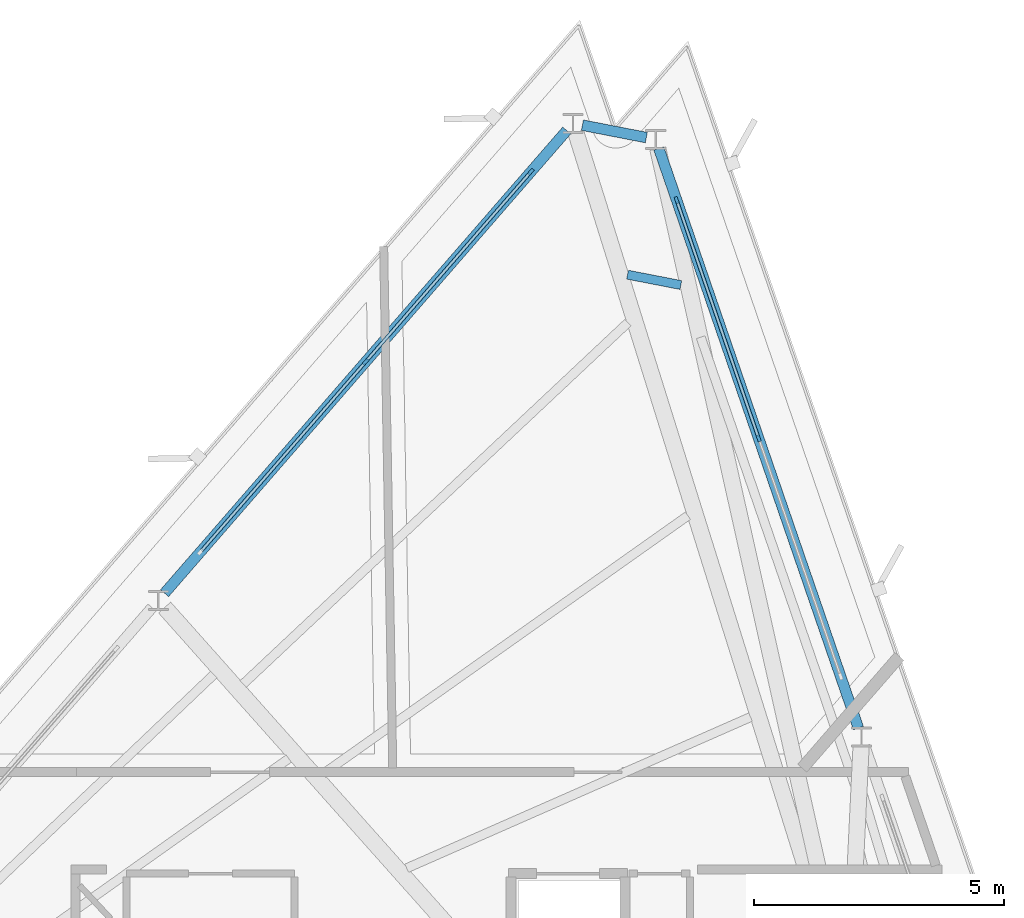
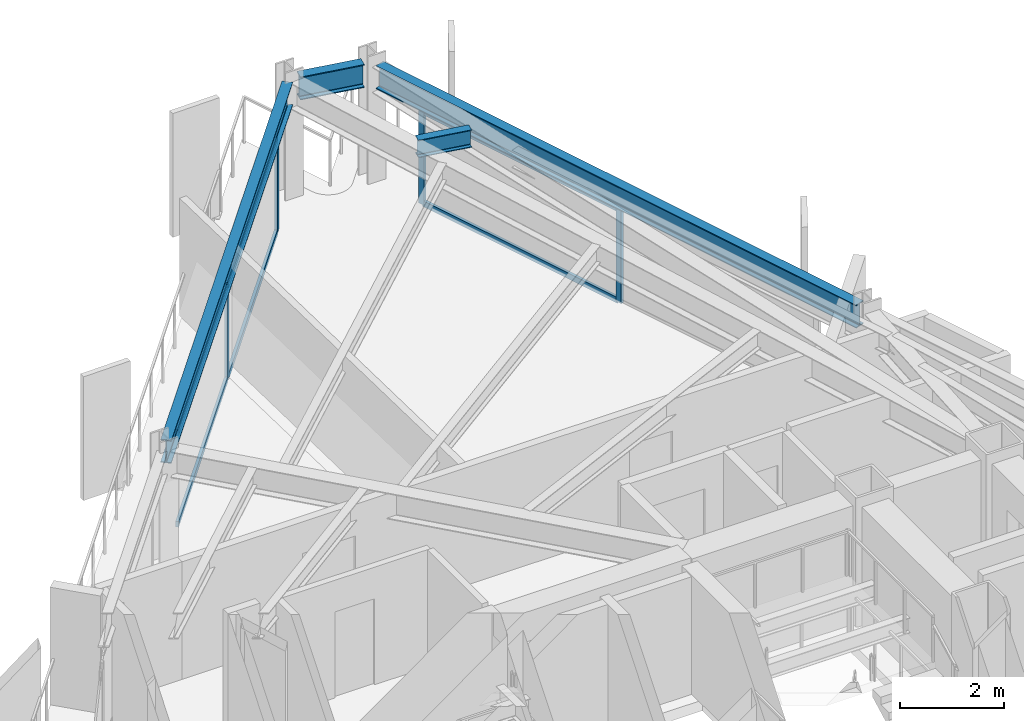
# One storey, part 7 of 13: 10 members, 4 beams, 2 elements without a shape of their own.
"""IFC4 building model written with IfcOpenShell, lengths in metres."""

import ifcopenshell
import ifcopenshell.guid

model = None  # the IFC model being written
_history = None  # IfcOwnerHistory: only IFC2X3 demands one
_inside = {}  # id of a spatial element -> (the spatial element, [elements in it])
_under = {}  # id of a project, library or spatial element -> (it, [spatial elements below it])
_declared = {}  # id of a project -> (the project, [libraries it declares])
_typed = {}  # id of a type object -> (the type object, [elements of that type])
_made_of = {}  # id of a material, layer set ... -> (it, [elements and type objects made of it])


def new_model(schema):
    """Start an empty IFC model of exactly this schema.

    Asked for "IFC4X3", IfcOpenShell would pick the latest addendum, in which some entities
    have other attributes; the version numbers below select the first issue.
    IFC2X3 requires an IfcOwnerHistory on every rooted entity: one is made here for all.
    """
    global model, _history
    if schema == "IFC4X3":
        model = ifcopenshell.file(schema_version=(4, 3, 0, 0))
    else:
        model = ifcopenshell.file(schema=schema)
    _inside.clear()
    _under.clear()
    _declared.clear()
    _typed.clear()
    _made_of.clear()
    _history = None
    if model.schema == "IFC2X3":
        org = make("IfcOrganization", Name="unknown")
        user = make(
            "IfcPersonAndOrganization",
            ThePerson=make("IfcPerson", FamilyName="unknown"),
            TheOrganization=org,
        )
        app = make(
            "IfcApplication",
            ApplicationDeveloper=org,
            Version="unknown",
            ApplicationFullName="unknown",
            ApplicationIdentifier="unknown",
        )
        _history = make(
            "IfcOwnerHistory",
            OwningUser=user,
            OwningApplication=app,
            ChangeAction="ADDED",
            CreationDate=0,
        )
    return model


def make(cls, **values):
    """One entity of the class cls with the attributes given. An attribute that is None is left unset."""
    return model.create_entity(
        cls, **{name: value for name, value in values.items() if value is not None}
    )


def rooted(cls, **values):
    """An entity with a GlobalId (a new one), such as an element, a storey or a relation."""
    return make(cls, GlobalId=ifcopenshell.guid.new(), OwnerHistory=_history, **values)


def si_unit(unit_type, name, prefix=None):
    """IfcSIUnit, for example si_unit("LENGTHUNIT", "METRE", prefix="MILLI")."""
    return make("IfcSIUnit", UnitType=unit_type, Prefix=prefix, Name=name)


def assignment(units):
    """IfcUnitAssignment: the units of a project."""
    return None if units is None else make("IfcUnitAssignment", Units=units)


def point(xyz):
    """IfcCartesianPoint."""
    return None if xyz is None else make("IfcCartesianPoint", Coordinates=xyz)


def direction(xyz):
    """IfcDirection."""
    return None if xyz is None else make("IfcDirection", DirectionRatios=xyz)


def frame(location, z_axis=None, x_axis=None):
    """IfcAxis2Placement3D, a coordinate frame: its origin and axes. An axis left out is left unset."""
    return make(
        "IfcAxis2Placement3D",
        Location=point(location),
        Axis=direction(z_axis),
        RefDirection=direction(x_axis),
    )


def frame_2d(location, x_axis=None):
    """IfcAxis2Placement2D, a coordinate frame in the plane: its origin and x axis."""
    return make(
        "IfcAxis2Placement2D", Location=point(location), RefDirection=direction(x_axis)
    )


def origin():
    """The frame at (0, 0, 0) with its axes left unset."""
    return frame((0.0, 0.0, 0.0))


def origin_2d():
    """The frame at (0, 0) in the plane with its x axis left unset."""
    return frame_2d((0.0, 0.0))


def place(relative_to, where):
    """IfcLocalPlacement: puts the frame where relative to a parent placement (None: the world)."""
    return make(
        "IfcLocalPlacement", PlacementRelTo=relative_to, RelativePlacement=where
    )


def context(
    kind, dimensions, precision=None, world=None, true_north=None, identifier=None
):
    """IfcGeometricRepresentationContext, for example the 3D "Model" context."""
    return make(
        "IfcGeometricRepresentationContext",
        ContextIdentifier=identifier,
        ContextType=kind,
        CoordinateSpaceDimension=dimensions,
        Precision=precision,
        WorldCoordinateSystem=world,
        TrueNorth=true_north,
    )


def subcontext(parent, identifier, kind, view, scale=None):
    """IfcGeometricRepresentationSubContext, for example "Body" below "Model"."""
    return make(
        "IfcGeometricRepresentationSubContext",
        ContextIdentifier=identifier,
        ContextType=kind,
        ParentContext=parent,
        TargetScale=scale,
        TargetView=view,
    )


def project(units=None, contexts=None):
    """IfcProject with its units and contexts."""
    return rooted(
        "IfcProject",
        Name="project",
        RepresentationContexts=contexts,
        UnitsInContext=assignment(units),
    )


def spatial(cls, under=None, at=None, **own):
    """A site, building, storey or space (cls), placed at a placement, below another one or the project."""
    s = rooted(cls, ObjectPlacement=at, **own)
    if under is not None:
        _under.setdefault(under.id(), (under, []))[1].append(s)
    return s


def profile(cls, at=None, kind="AREA", **sizes):
    """A parametric profile (cls). Its sizes go by their IFC names, for example OverallWidth=200.0."""
    return make(cls, ProfileType=kind, Position=at, **sizes)


def rectangle(**sizes):
    """IfcRectangleProfileDef."""
    return profile("IfcRectangleProfileDef", **sizes)


def i_section(**sizes):
    """IfcIShapeProfileDef."""
    return profile("IfcIShapeProfileDef", **sizes)


def extrude(swept, where, along, depth):
    """IfcExtrudedAreaSolid: the profile swept, set in the frame where, extruded along a direction by depth."""
    return make(
        "IfcExtrudedAreaSolid",
        SweptArea=swept,
        Position=where,
        ExtrudedDirection=direction(along),
        Depth=depth,
    )


def shape(context_of_items, identifier, shape_type, items):
    """IfcShapeRepresentation: the items that make up one representation, for example the "Body"."""
    return make(
        "IfcShapeRepresentation",
        ContextOfItems=context_of_items,
        RepresentationIdentifier=identifier,
        RepresentationType=shape_type,
        Items=items,
    )


def material(Name=None, Category=None):
    """IfcMaterial."""
    return make("IfcMaterial", Name=Name, Category=Category)


def layer(
    of_material, thickness, ventilated=None, Name=None, Category=None, Priority=None
):
    """IfcMaterialLayer: one layer of a wall or slab, of a material (None: an air gap)."""
    return make(
        "IfcMaterialLayer",
        Material=of_material,
        LayerThickness=thickness,
        IsVentilated=ventilated,
        Name=Name,
        Category=Category,
        Priority=Priority,
    )


def layer_set(layers, Name=None):
    """IfcMaterialLayerSet."""
    return make("IfcMaterialLayerSet", MaterialLayers=layers, LayerSetName=Name)


def material_profile(
    of_material, cross_section, Name=None, Category=None, Priority=None
):
    """IfcMaterialProfile: a cross section and its material."""
    return make(
        "IfcMaterialProfile",
        Name=Name,
        Material=of_material,
        Profile=cross_section,
        Priority=Priority,
        Category=Category,
    )


def profile_set(profiles, Name=None, composite=None):
    """IfcMaterialProfileSet."""
    return make(
        "IfcMaterialProfileSet",
        Name=Name,
        MaterialProfiles=profiles,
        CompositeProfile=composite,
    )


def made_of(thing, what):
    """Note that an element or type object is made of a material, layer set ...; save() writes the relation."""
    if what is not None:
        _made_of.setdefault(what.id(), (what, []))[1].append(thing)
    return thing


def type_object(cls, material=None, **own):
    """A type object (cls), such as IfcWallType, which elements share."""
    return made_of(rooted(cls, **own), material)


def element(
    cls,
    number,
    at=None,
    inside=None,
    cuts=None,
    type_object=None,
    material=None,
    context=None,
    identifier="Body",
    shape_type=None,
    held_by="IfcProductDefinitionShape",
    body=None,
    shapes=None,
    **own,
):
    """One element of the class cls, such as IfcWall. Its Tag is "e" and its number.

    at: its placement. inside: the storey or other place that contains it. cuts: it is an
    opening in that element (IfcRelVoidsElement). A single representation is given by context,
    identifier, shape_type and body (its items); several are given by shapes. held_by: the class
    of the entity that holds the representations. save() writes the other relations.
    """
    e = rooted(cls, Tag="e%d" % number, ObjectPlacement=at, **own)
    if body is not None:
        shapes = [shape(context, identifier, shape_type, body)]
    if shapes is not None:
        e.Representation = make(held_by, Representations=shapes)
    if inside is not None:
        _inside.setdefault(inside.id(), (inside, []))[1].append(e)
    if cuts is not None:
        rooted(
            "IfcRelVoidsElement", RelatingBuildingElement=cuts, RelatedOpeningElement=e
        )
    if type_object is not None:
        _typed.setdefault(type_object.id(), (type_object, []))[1].append(e)
    return made_of(e, material)


def aggregate(whole, parts):
    """IfcRelAggregates: a whole, such as a stair, and the parts it consists of."""
    return rooted("IfcRelAggregates", RelatingObject=whole, RelatedObjects=parts)


def save(model, path):
    """Write the relations noted so far, then the file.

    IfcRelAggregates (storeys below a building ...), IfcRelContainedInSpatialStructure (elements
    in a storey), IfcRelDefinesByType, IfcRelAssociatesMaterial and IfcRelDeclares: one each for
    every whole, place, type object, material and project.
    """
    for whole, parts in _under.values():
        aggregate(whole, parts)
    for where, things in _inside.values():
        rooted(
            "IfcRelContainedInSpatialStructure",
            RelatedElements=things,
            RelatingStructure=where,
        )
    for kind, things in _typed.values():
        rooted("IfcRelDefinesByType", RelatedObjects=things, RelatingType=kind)
    for what, things in _made_of.values():
        rooted("IfcRelAssociatesMaterial", RelatedObjects=things, RelatingMaterial=what)
    for by, libraries in _declared.values():
        rooted("IfcRelDeclares", RelatingContext=by, RelatedDefinitions=libraries)
    model.write(path)


model = new_model("IFC4")

# Units and contexts
model_context = context("Model", 3, precision=1e-05, world=origin(), true_north=direction((0.0, 1.0)))
body_context = subcontext(model_context, "Body", "Model", "MODEL_VIEW")
ifc_project = project(units=[si_unit("LENGTHUNIT", "METRE"), si_unit("AREAUNIT", "SQUARE_METRE"), si_unit("VOLUMEUNIT", "CUBIC_METRE"), si_unit("PLANEANGLEUNIT", "RADIAN"), si_unit("MASSUNIT", "GRAM", prefix="KILO")], contexts=[model_context])

# Site, building, storey
site_placement = place(None, origin())
site = spatial("IfcSite", under=ifc_project, at=site_placement, CompositionType="ELEMENT")
building_placement = place(site_placement, origin())
building = spatial("IfcBuilding", under=site, at=building_placement, Name="Rocaltana Carrier Exchange", CompositionType="ELEMENT")
storey_placement = place(building_placement, frame((0.0, 0.0, 156.320068359375)))
storey = spatial("IfcBuildingStorey", under=building, at=storey_placement, Name="L49", CompositionType="ELEMENT", Elevation=156.320068359375)

# Curtain wall, members
ifc_material_1 = material(Name="Aluminium 6063-T6", Category="aluminium")
ifc_layer = layer(ifc_material_1, 0.135009765625)
ifc_layer_set = layer_set([ifc_layer], Name="Aluminium 6063-T6")
curtain_wall_type = type_object("IfcCurtainWallType", Name="Upper-Mid Acoustic Curtain Wall CW-04", PredefinedType="NOTDEFINED", material=ifc_layer_set)
curtain_wall_1_placement = place(storey_placement, origin())
curtain_wall_1 = element("IfcCurtainWall", 1, at=curtain_wall_1_placement, inside=storey, type_object=curtain_wall_type, Name="L49 CW-04 Run CW-L49-F1S3", PredefinedType="NOTDEFINED")
ifc_material_2 = material(Name="Aluminium 6063-T6", Category="aluminium")
ifc_material_profile_1 = material_profile(ifc_material_2, rectangle(XDim=0.06494140625, YDim=0.135009765625, at=origin_2d()), Name="AL-65X135")
ifc_profile_set_1 = profile_set([ifc_material_profile_1], Name="Aluminium 6063-T6")
member_type_1 = type_object("IfcMemberType", Name="CW-04 Mullion AL-65X135", PredefinedType="MULLION", material=ifc_profile_set_1)
member_1_placement = place(storey_placement, frame((7.151611328125, 15.82373046875, 0.0), z_axis=(0.0, 0.0, 1.0), x_axis=(-0.945521800517, -0.325558788464, 0.0)))
member_1 = element("IfcMember", 2, at=member_1_placement, type_object=member_type_1, Name="CW-04 mullion 2", PredefinedType="MULLION", context=body_context, shape_type="SweptSolid", body=[
    extrude(rectangle(XDim=0.06494140625, YDim=0.135009765625, at=origin_2d()), origin(), (0.0, 0.0, 1.0), 2.218017578125),
])
member_2_placement = place(storey_placement, frame((5.5126953125, 20.583740234375, 0.0), z_axis=(0.0, 0.0, 1.0), x_axis=(-0.945521800517, -0.325558788464, 0.0)))
member_2 = element("IfcMember", 3, at=member_2_placement, type_object=member_type_1, Name="CW-04 mullion 3", PredefinedType="MULLION", context=body_context, shape_type="SweptSolid", body=[
    extrude(rectangle(XDim=0.06494140625, YDim=0.135009765625, at=origin_2d()), origin(), (0.0, 0.0, 1.0), 2.218017578125),
])

curtain_wall_2_placement = place(storey_placement, origin())
curtain_wall_2 = element("IfcCurtainWall", 4, at=curtain_wall_2_placement, inside=storey, type_object=curtain_wall_type, Name="L49 CW-04 Run CW-L49-F2S1", PredefinedType="NOTDEFINED")
member_3_placement = place(storey_placement, frame((2.599609375, 21.14990234375, 0.0), z_axis=(0.0, 0.0, 1.0), x_axis=(0.75471173919, -0.656056545375, 0.0)))
member_3 = element("IfcMember", 5, at=member_3_placement, type_object=member_type_1, Name="CW-04 mullion 1", PredefinedType="MULLION", context=body_context, shape_type="SweptSolid", body=[
    extrude(rectangle(XDim=0.06494140625, YDim=0.135009765625, at=origin_2d()), origin(), (0.0, 0.0, 1.0), 2.218017578125),
])
member_4_placement = place(storey_placement, frame((-0.703125, 17.3505859375, 0.0), z_axis=(0.0, 0.0, 1.0), x_axis=(0.75471173919, -0.656056545375, 0.0)))
member_4 = element("IfcMember", 6, at=member_4_placement, type_object=member_type_1, Name="CW-04 mullion 2", PredefinedType="MULLION", context=body_context, shape_type="SweptSolid", body=[
    extrude(rectangle(XDim=0.06494140625, YDim=0.135009765625, at=origin_2d()), origin(), (0.0, 0.0, 1.0), 2.218017578125),
])

# Member
ifc_material_3 = material(Name="Aluminium 6063-T6", Category="aluminium")
ifc_material_profile_2 = material_profile(ifc_material_3, rectangle(XDim=0.06494140625, YDim=0.135009765625, at=origin_2d()), Name="AL-65X135")
ifc_profile_set_2 = profile_set([ifc_material_profile_2], Name="Aluminium 6063-T6")
member_type_2 = type_object("IfcMemberType", Name="CW-04 Transom AL-65X135", PredefinedType="USERDEFINED", material=ifc_profile_set_2)
member_5_placement = place(storey_placement, frame((7.140869140625, 15.8544921875, 0.032470703125), z_axis=(-0.325542462737, 0.945527421578, 0.0), x_axis=(-0.945527421578, -0.325542462737, 0.0)))
member_5 = element("IfcMember", 7, at=member_5_placement, type_object=member_type_2, Name="CW-04 transom 2.1", ObjectType="TRANSOM", PredefinedType="USERDEFINED", context=body_context, shape_type="SweptSolid", body=[
    extrude(rectangle(XDim=0.06494140625, YDim=0.135009765625, at=origin_2d()), origin(), (0.0, 0.0, 1.0), 4.96923828125),
])

member_6_placement = place(storey_placement, frame((7.140869140625, 15.8544921875, 2.185546875), z_axis=(-0.325542462737, 0.945527421578, 0.0), x_axis=(-0.945527421578, -0.325542462737, 0.0)))
member_6 = element("IfcMember", 8, at=member_6_placement, type_object=member_type_2, Name="CW-04 transom 2.2", ObjectType="TRANSOM", PredefinedType="USERDEFINED", context=body_context, shape_type="SweptSolid", body=[
    extrude(rectangle(XDim=0.06494140625, YDim=0.135009765625, at=origin_2d()), origin(), (0.0, 0.0, 1.0), 4.96923828125),
])

aggregate(curtain_wall_1, [member_1, member_2, member_5, member_6])

member_7_placement = place(storey_placement, frame((2.578369140625, 21.125244140625, 0.032470703125), z_axis=(-0.656083834105, -0.75468801675, 0.0), x_axis=(0.75468801675, -0.656083834105, 0.0)))
member_7 = element("IfcMember", 9, at=member_7_placement, type_object=member_type_2, Name="CW-04 transom 1.1", ObjectType="TRANSOM", PredefinedType="USERDEFINED", context=body_context, shape_type="SweptSolid", body=[
    extrude(rectangle(XDim=0.06494140625, YDim=0.135009765625, at=origin_2d()), origin(), (0.0, 0.0, 1.0), 4.96923828125),
])

member_8_placement = place(storey_placement, frame((2.578369140625, 21.125244140625, 2.185546875), z_axis=(-0.656083834105, -0.75468801675, 0.0), x_axis=(0.75468801675, -0.656083834105, 0.0)))
member_8 = element("IfcMember", 10, at=member_8_placement, type_object=member_type_2, Name="CW-04 transom 1.2", ObjectType="TRANSOM", PredefinedType="USERDEFINED", context=body_context, shape_type="SweptSolid", body=[
    extrude(rectangle(XDim=0.06494140625, YDim=0.135009765625, at=origin_2d()), origin(), (0.0, 0.0, 1.0), 4.96923828125),
])

member_9_placement = place(storey_placement, frame((-0.724365234375, 17.325927734375, 0.032470703125), z_axis=(-0.656055850486, -0.754712343243, 0.0), x_axis=(0.754712343243, -0.656055850486, 0.0)))
member_9 = element("IfcMember", 11, at=member_9_placement, type_object=member_type_2, Name="CW-04 transom 2.1", ObjectType="TRANSOM", PredefinedType="USERDEFINED", context=body_context, shape_type="SweptSolid", body=[
    extrude(rectangle(XDim=0.06494140625, YDim=0.135009765625, at=origin_2d()), origin(), (0.0, 0.0, 1.0), 4.968994140625),
])

member_10_placement = place(storey_placement, frame((-0.724365234375, 17.325927734375, 2.185546875), z_axis=(-0.656055850486, -0.754712343243, 0.0), x_axis=(0.754712343243, -0.656055850486, 0.0)))
member_10 = element("IfcMember", 12, at=member_10_placement, type_object=member_type_2, Name="CW-04 transom 2.2", ObjectType="TRANSOM", PredefinedType="USERDEFINED", context=body_context, shape_type="SweptSolid", body=[
    extrude(rectangle(XDim=0.06494140625, YDim=0.135009765625, at=origin_2d()), origin(), (0.0, 0.0, 1.0), 4.968994140625),
])

aggregate(curtain_wall_2, [member_3, member_4, member_7, member_8, member_9, member_10])

# Beams
ifc_material_4 = material(Name="Steel S355", Category="steel")
ifc_material_profile_3 = material_profile(ifc_material_4, i_section(OverallWidth=0.179931640625, OverallDepth=0.4130859375, WebThickness=0.009765625, FlangeThickness=0.01611328125, FilletRadius=0.012939453125, at=origin_2d()), Name="W16X50")
ifc_profile_set_3 = profile_set([ifc_material_profile_3], Name="Steel S355")
beam_type_1 = type_object("IfcBeamType", Name="Floor Joist W16X50", PredefinedType="JOIST", material=ifc_profile_set_3)
beam_1_placement = place(storey_placement, frame((5.59716796875, 18.8857421875, 2.58154296875), z_axis=(-0.981629422322, 0.190797477004, 0.0), x_axis=(-0.190797477004, -0.981629422322, 0.0)))
element("IfcBeam", 13, at=beam_1_placement, inside=storey, type_object=beam_type_1, Name="FJ-L49-04-3", PredefinedType="JOIST", context=body_context, shape_type="SweptSolid", body=[
    extrude(i_section(OverallWidth=0.179931640625, OverallDepth=0.4130859375, WebThickness=0.009765625, FlangeThickness=0.01611328125, FilletRadius=0.012939453125, at=origin_2d()), origin(), (0.0, 0.0, 1.0), 1.08642578125),
])
ifc_material_5 = material(Name="Steel S355", Category="steel")
ifc_material_profile_4 = material_profile(ifc_material_5, i_section(OverallWidth=0.2119140625, OverallDepth=0.5439453125, WebThickness=0.01318359375, FlangeThickness=0.021240234375, FilletRadius=0.014892578125, at=origin_2d()), Name="W21X83")
ifc_profile_set_4 = profile_set([ifc_material_profile_4], Name="Steel S355")
beam_type_2 = type_object("IfcBeamType", Name="Spandrel Edge Beam W21X83", PredefinedType="SPANDREL", material=ifc_profile_set_4)
beam_2_placement = place(storey_placement, frame((9.145751953125, 10.0322265625, 2.515869140625), z_axis=(-0.32558099518, 0.945514154086, 0.0), x_axis=(-0.945514154086, -0.32558099518, 0.0)))
element("IfcBeam", 14, at=beam_2_placement, inside=storey, type_object=beam_type_2, Name="SP-L49-03", PredefinedType="SPANDREL", context=body_context, shape_type="SweptSolid", body=[
    extrude(i_section(OverallWidth=0.2119140625, OverallDepth=0.5439453125, WebThickness=0.01318359375, FlangeThickness=0.021240234375, FilletRadius=0.014892578125, at=origin_2d()), origin(), (0.0, 0.0, 1.0), 12.25048828125),
])
beam_3_placement = place(storey_placement, frame((4.906982421875, 21.832763671875, 2.515869140625), z_axis=(-0.981612461895, 0.190884715608, 0.0), x_axis=(-0.190884715608, -0.981612461895, 0.0)))
element("IfcBeam", 15, at=beam_3_placement, inside=storey, type_object=beam_type_2, Name="SP-L49-04", PredefinedType="SPANDREL", context=body_context, shape_type="SweptSolid", body=[
    extrude(i_section(OverallWidth=0.2119140625, OverallDepth=0.5439453125, WebThickness=0.01318359375, FlangeThickness=0.021240234375, FilletRadius=0.014892578125, at=origin_2d()), origin(), (0.0, 0.0, 1.0), 1.302001953125),
])
beam_4_placement = place(storey_placement, frame((3.3154296875, 21.973388671875, 2.515869140625), z_axis=(-0.65606029169, -0.754708482573, 0.0), x_axis=(0.754708482573, -0.65606029169, 0.0)))
element("IfcBeam", 16, at=beam_4_placement, inside=storey, type_object=beam_type_2, Name="SP-L49-05", PredefinedType="SPANDREL", context=body_context, shape_type="SweptSolid", body=[
    extrude(i_section(OverallWidth=0.2119140625, OverallDepth=0.5439453125, WebThickness=0.01318359375, FlangeThickness=0.021240234375, FilletRadius=0.014892578125, at=origin_2d()), origin(), (0.0, 0.0, 1.0), 12.25048828125),
])

save(model, "model.ifc")
